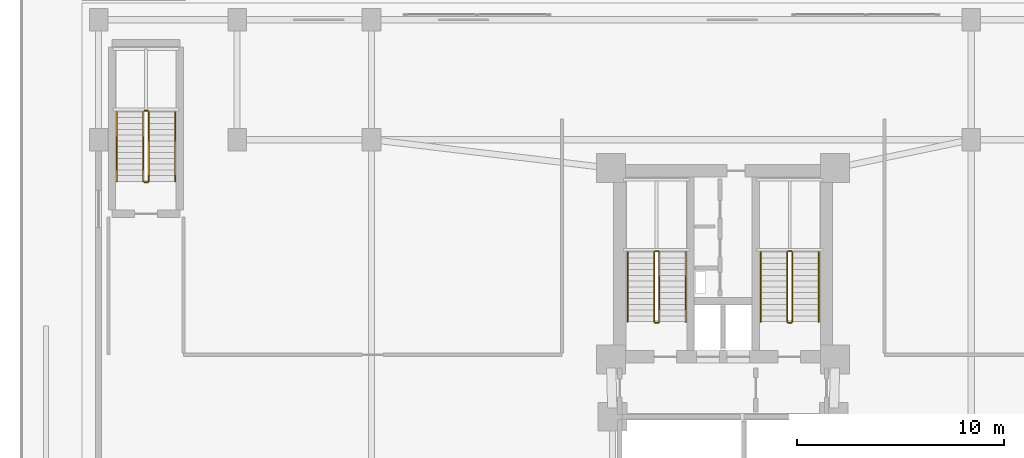
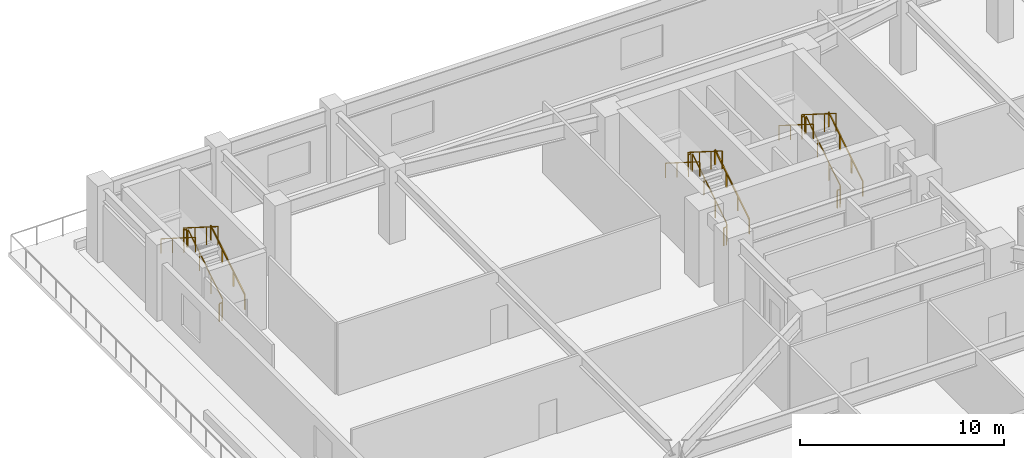
# One storey, part 9 of 9: 18 railings.
"""IFC4 building model written with IfcOpenShell, lengths in metres."""

from ifc_helpers import new_model, si_unit, direction, frame, origin, origin_2d, place, context, subcontext, project, spatial, rectangle, extrude, material, type_object, element, save


model = new_model("IFC4")

# Units and contexts
model_context = context("Model", 3, precision=1e-05, world=origin(), true_north=direction((0.0, 1.0)))
body_context = subcontext(model_context, "Body", "Model", "MODEL_VIEW")
ifc_project = project(units=[si_unit("LENGTHUNIT", "METRE"), si_unit("AREAUNIT", "SQUARE_METRE"), si_unit("VOLUMEUNIT", "CUBIC_METRE"), si_unit("PLANEANGLEUNIT", "RADIAN"), si_unit("MASSUNIT", "GRAM", prefix="KILO")], contexts=[model_context])

# Site, building, storey
site_placement = place(None, origin())
site = spatial("IfcSite", under=ifc_project, at=site_placement, CompositionType="ELEMENT")
building_placement = place(site_placement, origin())
building = spatial("IfcBuilding", under=site, at=building_placement, Name="Varnakorn Sky Granary", CompositionType="ELEMENT")
storey_placement = place(building_placement, frame((0.0, 0.0, 18.39990234375)))
storey = spatial("IfcBuildingStorey", under=building, at=storey_placement, Name="L04", CompositionType="ELEMENT", Elevation=18.39990234375)

# Railings
ifc_material = material(Name="Brushed Stainless Steel 316", Category="steel")
railing_type_1 = type_object("IfcRailingType", Name="RL-STAIR-1100", PredefinedType="GUARDRAIL", material=ifc_material)
railing_1_placement = place(storey_placement, frame((-0.090087890625, 5.199951171875, 0.177001953125)))
element("IfcRailing", 1, at=railing_1_placement, inside=storey, type_object=railing_type_1, Name="L04 ST-1 stair guard 1", PredefinedType="GUARDRAIL", context=body_context, shape_type="SweptSolid", body=[
    extrude(rectangle(XDim=0.048095703125, YDim=0.048095703125, at=origin_2d()), frame((0.0, 0.0, 1.076171875), z_axis=(0.0, 0.845389635667, 0.534150132366), x_axis=(-1.0, 0.0, 0.0)), (0.0, 0.0, 1.0), 3.974609375),
    extrude(rectangle(XDim=0.0419921875, YDim=0.0419921875, at=origin_2d()), origin(), (0.0, 0.0, 1.0), 1.048095703125),
    extrude(rectangle(XDim=0.0419921875, YDim=0.0419921875, at=origin_2d()), frame((0.0, 1.1201171875, 0.707763671875)), (0.0, 0.0, 1.0), 1.048095703125),
    extrude(rectangle(XDim=0.0419921875, YDim=0.0419921875, at=origin_2d()), frame((0.0, 2.239990234375, 1.415283203125)), (0.0, 0.0, 1.0), 1.048095703125),
    extrude(rectangle(XDim=0.0419921875, YDim=0.0419921875, at=origin_2d()), frame((0.0, 3.360107421875, 2.123046875)), (0.0, 0.0, 1.0), 1.048095703125),
])
railing_2_placement = place(storey_placement, frame((-0.139892578125, 8.610107421875, 2.300048828125)))
element("IfcRailing", 2, at=railing_2_placement, inside=storey, type_object=railing_type_1, Name="L04 ST-1 stair guard 2", PredefinedType="GUARDRAIL", context=body_context, shape_type="SweptSolid", body=[
    extrude(rectangle(XDim=0.048095703125, YDim=0.048095703125, at=origin_2d()), frame((0.0, 0.0, 1.076171875), z_axis=(-1.0, 0.0, 0.0), x_axis=(0.0, -1.0, 0.0)), (0.0, 0.0, 1.0), 0.150146484375),
    extrude(rectangle(XDim=0.0419921875, YDim=0.0419921875, at=origin_2d()), origin(), (0.0, 0.0, 1.0), 1.048095703125),
    extrude(rectangle(XDim=0.0419921875, YDim=0.0419921875, at=origin_2d()), frame((-0.150146484375, 0.0, 0.0)), (0.0, 0.0, 1.0), 1.048095703125),
])
railing_3_placement = place(storey_placement, frame((-0.340087890625, 8.56005859375, 2.47705078125)))
element("IfcRailing", 3, at=railing_3_placement, inside=storey, type_object=railing_type_1, Name="L04 ST-1 stair guard 3", PredefinedType="GUARDRAIL", context=body_context, shape_type="SweptSolid", body=[
    extrude(rectangle(XDim=0.048095703125, YDim=0.048095703125, at=origin_2d()), frame((0.0, 0.0, 1.076171875), z_axis=(0.0, -0.845389635667, 0.534150132366), x_axis=(1.0, 0.0, 0.0)), (0.0, 0.0, 1.0), 3.974609375),
    extrude(rectangle(XDim=0.0419921875, YDim=0.0419921875, at=origin_2d()), origin(), (0.0, 0.0, 1.0), 1.048095703125),
    extrude(rectangle(XDim=0.0419921875, YDim=0.0419921875, at=origin_2d()), frame((0.0, -1.1201171875, 0.707763671875)), (0.0, 0.0, 1.0), 1.048095703125),
    extrude(rectangle(XDim=0.0419921875, YDim=0.0419921875, at=origin_2d()), frame((0.0, -2.239990234375, 1.415283203125)), (0.0, 0.0, 1.0), 1.048095703125),
    extrude(rectangle(XDim=0.0419921875, YDim=0.0419921875, at=origin_2d()), frame((0.0, -3.360107421875, 2.123046875)), (0.0, 0.0, 1.0), 1.048095703125),
])
railing_4_placement = place(storey_placement, frame((-0.139892578125, 5.14990234375, 0.0)))
element("IfcRailing", 4, at=railing_4_placement, inside=storey, type_object=railing_type_1, Name="L04 ST-1 stair guard 4", PredefinedType="GUARDRAIL", context=body_context, shape_type="SweptSolid", body=[
    extrude(rectangle(XDim=0.048095703125, YDim=0.048095703125, at=origin_2d()), frame((0.0, 0.0, 1.076171875), z_axis=(-1.0, 0.0, 0.0), x_axis=(0.0, -1.0, 0.0)), (0.0, 0.0, 1.0), 0.150146484375),
    extrude(rectangle(XDim=0.0419921875, YDim=0.0419921875, at=origin_2d()), origin(), (0.0, 0.0, 1.0), 1.048095703125),
    extrude(rectangle(XDim=0.0419921875, YDim=0.0419921875, at=origin_2d()), frame((-0.150146484375, 0.0, 0.0)), (0.0, 0.0, 1.0), 1.048095703125),
])
railing_5_placement = place(storey_placement, frame((6.35009765625, 5.199951171875, 0.177001953125)))
element("IfcRailing", 5, at=railing_5_placement, inside=storey, type_object=railing_type_1, Name="L04 ST-2 stair guard 1", PredefinedType="GUARDRAIL", context=body_context, shape_type="SweptSolid", body=[
    extrude(rectangle(XDim=0.048095703125, YDim=0.048095703125, at=origin_2d()), frame((0.0, 0.0, 1.076171875), z_axis=(0.0, 0.845389635667, 0.534150132366), x_axis=(-1.0, 0.0, 0.0)), (0.0, 0.0, 1.0), 3.974609375),
    extrude(rectangle(XDim=0.0419921875, YDim=0.0419921875, at=origin_2d()), origin(), (0.0, 0.0, 1.0), 1.048095703125),
    extrude(rectangle(XDim=0.0419921875, YDim=0.0419921875, at=origin_2d()), frame((0.0, 1.1201171875, 0.707763671875)), (0.0, 0.0, 1.0), 1.048095703125),
    extrude(rectangle(XDim=0.0419921875, YDim=0.0419921875, at=origin_2d()), frame((0.0, 2.239990234375, 1.415283203125)), (0.0, 0.0, 1.0), 1.048095703125),
    extrude(rectangle(XDim=0.0419921875, YDim=0.0419921875, at=origin_2d()), frame((0.0, 3.360107421875, 2.123046875)), (0.0, 0.0, 1.0), 1.048095703125),
])
railing_6_placement = place(storey_placement, frame((6.300048828125, 8.610107421875, 2.300048828125)))
element("IfcRailing", 6, at=railing_6_placement, inside=storey, type_object=railing_type_1, Name="L04 ST-2 stair guard 2", PredefinedType="GUARDRAIL", context=body_context, shape_type="SweptSolid", body=[
    extrude(rectangle(XDim=0.048095703125, YDim=0.048095703125, at=origin_2d()), frame((0.0, 0.0, 1.076171875), z_axis=(-1.0, 0.0, 0.0), x_axis=(0.0, -1.0, 0.0)), (0.0, 0.0, 1.0), 0.150146484375),
    extrude(rectangle(XDim=0.0419921875, YDim=0.0419921875, at=origin_2d()), origin(), (0.0, 0.0, 1.0), 1.048095703125),
    extrude(rectangle(XDim=0.0419921875, YDim=0.0419921875, at=origin_2d()), frame((-0.150146484375, 0.0, 0.0)), (0.0, 0.0, 1.0), 1.048095703125),
])
railing_7_placement = place(storey_placement, frame((6.10009765625, 8.56005859375, 2.47705078125)))
element("IfcRailing", 7, at=railing_7_placement, inside=storey, type_object=railing_type_1, Name="L04 ST-2 stair guard 3", PredefinedType="GUARDRAIL", context=body_context, shape_type="SweptSolid", body=[
    extrude(rectangle(XDim=0.048095703125, YDim=0.048095703125, at=origin_2d()), frame((0.0, 0.0, 1.076171875), z_axis=(0.0, -0.845389635667, 0.534150132366), x_axis=(1.0, 0.0, 0.0)), (0.0, 0.0, 1.0), 3.974609375),
    extrude(rectangle(XDim=0.0419921875, YDim=0.0419921875, at=origin_2d()), origin(), (0.0, 0.0, 1.0), 1.048095703125),
    extrude(rectangle(XDim=0.0419921875, YDim=0.0419921875, at=origin_2d()), frame((0.0, -1.1201171875, 0.707763671875)), (0.0, 0.0, 1.0), 1.048095703125),
    extrude(rectangle(XDim=0.0419921875, YDim=0.0419921875, at=origin_2d()), frame((0.0, -2.239990234375, 1.415283203125)), (0.0, 0.0, 1.0), 1.048095703125),
    extrude(rectangle(XDim=0.0419921875, YDim=0.0419921875, at=origin_2d()), frame((0.0, -3.360107421875, 2.123046875)), (0.0, 0.0, 1.0), 1.048095703125),
])
railing_8_placement = place(storey_placement, frame((6.300048828125, 5.14990234375, 0.0)))
element("IfcRailing", 8, at=railing_8_placement, inside=storey, type_object=railing_type_1, Name="L04 ST-2 stair guard 4", PredefinedType="GUARDRAIL", context=body_context, shape_type="SweptSolid", body=[
    extrude(rectangle(XDim=0.048095703125, YDim=0.048095703125, at=origin_2d()), frame((0.0, 0.0, 1.076171875), z_axis=(-1.0, 0.0, 0.0), x_axis=(0.0, -1.0, 0.0)), (0.0, 0.0, 1.0), 0.150146484375),
    extrude(rectangle(XDim=0.0419921875, YDim=0.0419921875, at=origin_2d()), origin(), (0.0, 0.0, 1.0), 1.048095703125),
    extrude(rectangle(XDim=0.0419921875, YDim=0.0419921875, at=origin_2d()), frame((-0.150146484375, 0.0, 0.0)), (0.0, 0.0, 1.0), 1.048095703125),
])
railing_9_placement = place(storey_placement, frame((-24.780029296875, 11.97998046875, 0.177001953125)))
element("IfcRailing", 9, at=railing_9_placement, inside=storey, type_object=railing_type_1, Name="L04 ST-B3 stair guard 1", PredefinedType="GUARDRAIL", context=body_context, shape_type="SweptSolid", body=[
    extrude(rectangle(XDim=0.048095703125, YDim=0.048095703125, at=origin_2d()), frame((0.0, 0.0, 1.076171875), z_axis=(0.0, 0.845389635667, 0.534150132366), x_axis=(-1.0, 0.0, 0.0)), (0.0, 0.0, 1.0), 3.974609375),
    extrude(rectangle(XDim=0.0419921875, YDim=0.0419921875, at=origin_2d()), origin(), (0.0, 0.0, 1.0), 1.048095703125),
    extrude(rectangle(XDim=0.0419921875, YDim=0.0419921875, at=origin_2d()), frame((0.0, 1.1201171875, 0.707763671875)), (0.0, 0.0, 1.0), 1.048095703125),
    extrude(rectangle(XDim=0.0419921875, YDim=0.0419921875, at=origin_2d()), frame((0.0, 2.239990234375, 1.415283203125)), (0.0, 0.0, 1.0), 1.048095703125),
    extrude(rectangle(XDim=0.0419921875, YDim=0.0419921875, at=origin_2d()), frame((0.0, 3.360107421875, 2.123046875)), (0.0, 0.0, 1.0), 1.048095703125),
])
railing_10_placement = place(storey_placement, frame((-24.830078125, 15.389892578125, 2.300048828125)))
element("IfcRailing", 10, at=railing_10_placement, inside=storey, type_object=railing_type_1, Name="L04 ST-B3 stair guard 2", PredefinedType="GUARDRAIL", context=body_context, shape_type="SweptSolid", body=[
    extrude(rectangle(XDim=0.048095703125, YDim=0.048095703125, at=origin_2d()), frame((0.0, 0.0, 1.076171875), z_axis=(-1.0, 0.0, 0.0), x_axis=(0.0, -1.0, 0.0)), (0.0, 0.0, 1.0), 0.14990234375),
    extrude(rectangle(XDim=0.0419921875, YDim=0.0419921875, at=origin_2d()), origin(), (0.0, 0.0, 1.0), 1.048095703125),
    extrude(rectangle(XDim=0.0419921875, YDim=0.0419921875, at=origin_2d()), frame((-0.14990234375, 0.0, 0.0)), (0.0, 0.0, 1.0), 1.048095703125),
])
railing_11_placement = place(storey_placement, frame((-25.030029296875, 15.340087890625, 2.47705078125)))
element("IfcRailing", 11, at=railing_11_placement, inside=storey, type_object=railing_type_1, Name="L04 ST-B3 stair guard 3", PredefinedType="GUARDRAIL", context=body_context, shape_type="SweptSolid", body=[
    extrude(rectangle(XDim=0.048095703125, YDim=0.048095703125, at=origin_2d()), frame((0.0, 0.0, 1.076171875), z_axis=(0.0, -0.845389635667, 0.534150132366), x_axis=(1.0, 0.0, 0.0)), (0.0, 0.0, 1.0), 3.974609375),
    extrude(rectangle(XDim=0.0419921875, YDim=0.0419921875, at=origin_2d()), origin(), (0.0, 0.0, 1.0), 1.048095703125),
    extrude(rectangle(XDim=0.0419921875, YDim=0.0419921875, at=origin_2d()), frame((0.0, -1.1201171875, 0.707763671875)), (0.0, 0.0, 1.0), 1.048095703125),
    extrude(rectangle(XDim=0.0419921875, YDim=0.0419921875, at=origin_2d()), frame((0.0, -2.239990234375, 1.415283203125)), (0.0, 0.0, 1.0), 1.048095703125),
    extrude(rectangle(XDim=0.0419921875, YDim=0.0419921875, at=origin_2d()), frame((0.0, -3.360107421875, 2.123046875)), (0.0, 0.0, 1.0), 1.048095703125),
])
railing_12_placement = place(storey_placement, frame((-24.830078125, 11.929931640625, 0.0)))
element("IfcRailing", 12, at=railing_12_placement, inside=storey, type_object=railing_type_1, Name="L04 ST-B3 stair guard 4", PredefinedType="GUARDRAIL", context=body_context, shape_type="SweptSolid", body=[
    extrude(rectangle(XDim=0.048095703125, YDim=0.048095703125, at=origin_2d()), frame((0.0, 0.0, 1.076171875), z_axis=(-1.0, 0.0, 0.0), x_axis=(0.0, -1.0, 0.0)), (0.0, 0.0, 1.0), 0.14990234375),
    extrude(rectangle(XDim=0.0419921875, YDim=0.0419921875, at=origin_2d()), origin(), (0.0, 0.0, 1.0), 1.048095703125),
    extrude(rectangle(XDim=0.0419921875, YDim=0.0419921875, at=origin_2d()), frame((-0.14990234375, 0.0, 0.0)), (0.0, 0.0, 1.0), 1.048095703125),
])
railing_type_2 = type_object("IfcRailingType", Name="RL-STAIR-920", PredefinedType="HANDRAIL", material=ifc_material)
railing_13_placement = place(storey_placement, frame((1.18994140625, 5.199951171875, 0.177001953125)))
element("IfcRailing", 13, at=railing_13_placement, inside=storey, type_object=railing_type_2, Name="L04 ST-1 stair handrail 1", PredefinedType="HANDRAIL", context=body_context, shape_type="SweptSolid", body=[
    extrude(rectangle(XDim=0.048095703125, YDim=0.048095703125, at=origin_2d()), frame((0.0, 0.0, 0.8759765625), z_axis=(0.0, 0.845389635667, 0.534150132366), x_axis=(-1.0, 0.0, 0.0)), (0.0, 0.0, 1.0), 3.974609375),
    extrude(rectangle(XDim=0.0419921875, YDim=0.0419921875, at=origin_2d()), origin(), (0.0, 0.0, 1.0), 0.847900390625),
    extrude(rectangle(XDim=0.0419921875, YDim=0.0419921875, at=origin_2d()), frame((0.0, 1.1201171875, 0.707763671875)), (0.0, 0.0, 1.0), 0.847900390625),
    extrude(rectangle(XDim=0.0419921875, YDim=0.0419921875, at=origin_2d()), frame((0.0, 2.239990234375, 1.415283203125)), (0.0, 0.0, 1.0), 0.847900390625),
    extrude(rectangle(XDim=0.0419921875, YDim=0.0419921875, at=origin_2d()), frame((0.0, 3.360107421875, 2.123046875)), (0.0, 0.0, 1.0), 0.847900390625),
])
railing_14_placement = place(storey_placement, frame((-1.6201171875, 8.56005859375, 2.47705078125)))
element("IfcRailing", 14, at=railing_14_placement, inside=storey, type_object=railing_type_2, Name="L04 ST-1 stair handrail 2", PredefinedType="HANDRAIL", context=body_context, shape_type="SweptSolid", body=[
    extrude(rectangle(XDim=0.048095703125, YDim=0.048095703125, at=origin_2d()), frame((0.0, 0.0, 0.8759765625), z_axis=(0.0, -0.845389635667, 0.534150132366), x_axis=(1.0, 0.0, 0.0)), (0.0, 0.0, 1.0), 3.974609375),
    extrude(rectangle(XDim=0.0419921875, YDim=0.0419921875, at=origin_2d()), origin(), (0.0, 0.0, 1.0), 0.847900390625),
    extrude(rectangle(XDim=0.0419921875, YDim=0.0419921875, at=origin_2d()), frame((0.0, -1.1201171875, 0.707763671875)), (0.0, 0.0, 1.0), 0.847900390625),
    extrude(rectangle(XDim=0.0419921875, YDim=0.0419921875, at=origin_2d()), frame((0.0, -2.239990234375, 1.415283203125)), (0.0, 0.0, 1.0), 0.847900390625),
    extrude(rectangle(XDim=0.0419921875, YDim=0.0419921875, at=origin_2d()), frame((0.0, -3.360107421875, 2.123046875)), (0.0, 0.0, 1.0), 0.847900390625),
])
railing_15_placement = place(storey_placement, frame((7.6298828125, 5.199951171875, 0.177001953125)))
element("IfcRailing", 15, at=railing_15_placement, inside=storey, type_object=railing_type_2, Name="L04 ST-2 stair handrail 1", PredefinedType="HANDRAIL", context=body_context, shape_type="SweptSolid", body=[
    extrude(rectangle(XDim=0.048095703125, YDim=0.048095703125, at=origin_2d()), frame((0.0, 0.0, 0.8759765625), z_axis=(0.0, 0.845389635667, 0.534150132366), x_axis=(-1.0, 0.0, 0.0)), (0.0, 0.0, 1.0), 3.974609375),
    extrude(rectangle(XDim=0.0419921875, YDim=0.0419921875, at=origin_2d()), origin(), (0.0, 0.0, 1.0), 0.847900390625),
    extrude(rectangle(XDim=0.0419921875, YDim=0.0419921875, at=origin_2d()), frame((0.0, 1.1201171875, 0.707763671875)), (0.0, 0.0, 1.0), 0.847900390625),
    extrude(rectangle(XDim=0.0419921875, YDim=0.0419921875, at=origin_2d()), frame((0.0, 2.239990234375, 1.415283203125)), (0.0, 0.0, 1.0), 0.847900390625),
    extrude(rectangle(XDim=0.0419921875, YDim=0.0419921875, at=origin_2d()), frame((0.0, 3.360107421875, 2.123046875)), (0.0, 0.0, 1.0), 0.847900390625),
])
railing_16_placement = place(storey_placement, frame((4.820068359375, 8.56005859375, 2.47705078125)))
element("IfcRailing", 16, at=railing_16_placement, inside=storey, type_object=railing_type_2, Name="L04 ST-2 stair handrail 2", PredefinedType="HANDRAIL", context=body_context, shape_type="SweptSolid", body=[
    extrude(rectangle(XDim=0.048095703125, YDim=0.048095703125, at=origin_2d()), frame((0.0, 0.0, 0.8759765625), z_axis=(0.0, -0.845389635667, 0.534150132366), x_axis=(1.0, 0.0, 0.0)), (0.0, 0.0, 1.0), 3.974609375),
    extrude(rectangle(XDim=0.0419921875, YDim=0.0419921875, at=origin_2d()), origin(), (0.0, 0.0, 1.0), 0.847900390625),
    extrude(rectangle(XDim=0.0419921875, YDim=0.0419921875, at=origin_2d()), frame((0.0, -1.1201171875, 0.707763671875)), (0.0, 0.0, 1.0), 0.847900390625),
    extrude(rectangle(XDim=0.0419921875, YDim=0.0419921875, at=origin_2d()), frame((0.0, -2.239990234375, 1.415283203125)), (0.0, 0.0, 1.0), 0.847900390625),
    extrude(rectangle(XDim=0.0419921875, YDim=0.0419921875, at=origin_2d()), frame((0.0, -3.360107421875, 2.123046875)), (0.0, 0.0, 1.0), 0.847900390625),
])
railing_17_placement = place(storey_placement, frame((-23.5, 11.97998046875, 0.177001953125)))
element("IfcRailing", 17, at=railing_17_placement, inside=storey, type_object=railing_type_2, Name="L04 ST-B3 stair handrail 1", PredefinedType="HANDRAIL", context=body_context, shape_type="SweptSolid", body=[
    extrude(rectangle(XDim=0.048095703125, YDim=0.048095703125, at=origin_2d()), frame((0.0, 0.0, 0.8759765625), z_axis=(0.0, 0.845389635667, 0.534150132366), x_axis=(-1.0, 0.0, 0.0)), (0.0, 0.0, 1.0), 3.974609375),
    extrude(rectangle(XDim=0.0419921875, YDim=0.0419921875, at=origin_2d()), origin(), (0.0, 0.0, 1.0), 0.847900390625),
    extrude(rectangle(XDim=0.0419921875, YDim=0.0419921875, at=origin_2d()), frame((0.0, 1.1201171875, 0.707763671875)), (0.0, 0.0, 1.0), 0.847900390625),
    extrude(rectangle(XDim=0.0419921875, YDim=0.0419921875, at=origin_2d()), frame((0.0, 2.239990234375, 1.415283203125)), (0.0, 0.0, 1.0), 0.847900390625),
    extrude(rectangle(XDim=0.0419921875, YDim=0.0419921875, at=origin_2d()), frame((0.0, 3.360107421875, 2.123046875)), (0.0, 0.0, 1.0), 0.847900390625),
])
railing_18_placement = place(storey_placement, frame((-26.31005859375, 15.340087890625, 2.47705078125)))
element("IfcRailing", 18, at=railing_18_placement, inside=storey, type_object=railing_type_2, Name="L04 ST-B3 stair handrail 2", PredefinedType="HANDRAIL", context=body_context, shape_type="SweptSolid", body=[
    extrude(rectangle(XDim=0.048095703125, YDim=0.048095703125, at=origin_2d()), frame((0.0, 0.0, 0.8759765625), z_axis=(0.0, -0.845389635667, 0.534150132366), x_axis=(1.0, 0.0, 0.0)), (0.0, 0.0, 1.0), 3.974609375),
    extrude(rectangle(XDim=0.0419921875, YDim=0.0419921875, at=origin_2d()), origin(), (0.0, 0.0, 1.0), 0.847900390625),
    extrude(rectangle(XDim=0.0419921875, YDim=0.0419921875, at=origin_2d()), frame((0.0, -1.1201171875, 0.707763671875)), (0.0, 0.0, 1.0), 0.847900390625),
    extrude(rectangle(XDim=0.0419921875, YDim=0.0419921875, at=origin_2d()), frame((0.0, -2.239990234375, 1.415283203125)), (0.0, 0.0, 1.0), 0.847900390625),
    extrude(rectangle(XDim=0.0419921875, YDim=0.0419921875, at=origin_2d()), frame((0.0, -3.360107421875, 2.123046875)), (0.0, 0.0, 1.0), 0.847900390625),
])

save(model, "model.ifc")
